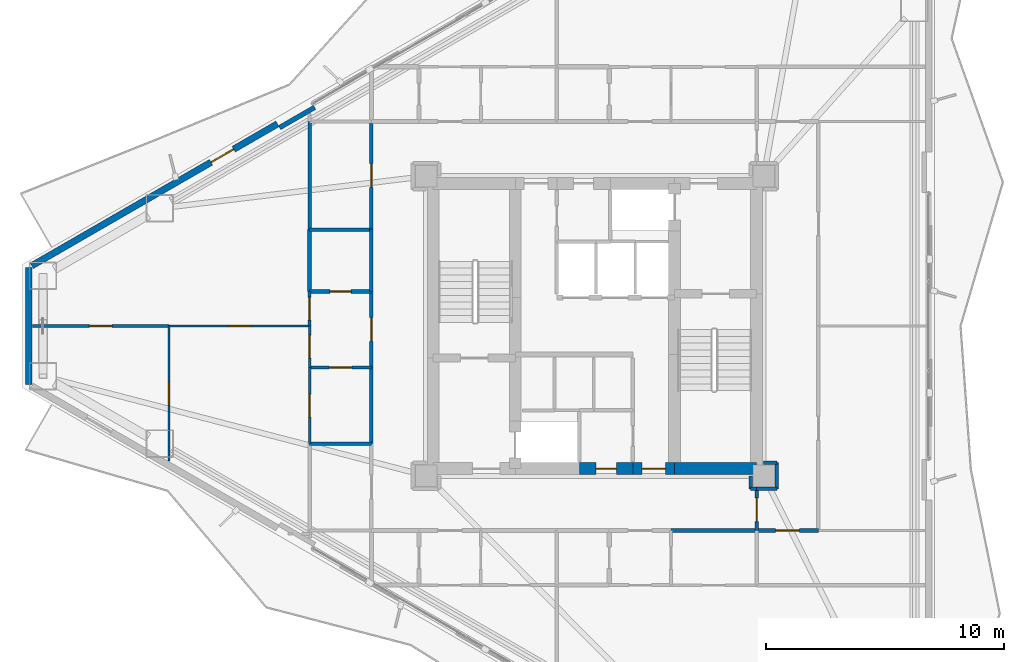
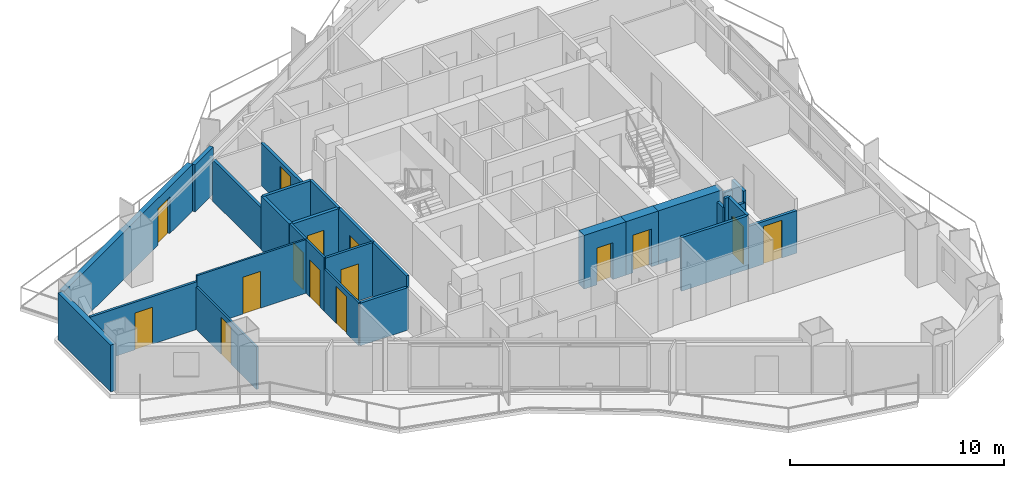
# One storey, part 17 of 23: 30 walls, 15 doors, 15 openings.
"""IFC4 building model written with IfcOpenShell, lengths in metres."""

from ifc_helpers import new_model, si_unit, direction, frame, frame_2d, origin, place, context, subcontext, project, spatial, rectangle, extrude, material, layer, layer_set, type_object, element, fill, save


model = new_model("IFC4")

# Units and contexts
model_context = context("Model", 3, precision=1e-05, world=origin(), true_north=direction((0.0, 1.0)))
body_context = subcontext(model_context, "Body", "Model", "MODEL_VIEW")
ifc_project = project(units=[si_unit("LENGTHUNIT", "METRE"), si_unit("AREAUNIT", "SQUARE_METRE"), si_unit("VOLUMEUNIT", "CUBIC_METRE"), si_unit("PLANEANGLEUNIT", "RADIAN"), si_unit("MASSUNIT", "GRAM", prefix="KILO")], contexts=[model_context])

# Site, building, storey
site_placement = place(None, origin())
site = spatial("IfcSite", under=ifc_project, at=site_placement, CompositionType="ELEMENT")
building_placement = place(site_placement, origin())
building = spatial("IfcBuilding", under=site, at=building_placement, Name="Mersakhor Tower and Convention Hall", CompositionType="ELEMENT")
storey_placement = place(building_placement, frame((0.0, 0.0, 93.300048828125)))
storey = spatial("IfcBuildingStorey", under=building, at=storey_placement, Name="L25", CompositionType="ELEMENT", Elevation=93.300048828125)

# Wall
ifc_material_1 = material(Name="Precast concrete C45/55", Category="concrete")
ifc_layer_1 = layer(ifc_material_1, 0.27490234375)
ifc_layer_set_1 = layer_set([ifc_layer_1], Name="Precast concrete C45/55")
wall_type_1 = type_object("IfcWallType", Name="WL-EXT-275", PredefinedType="SOLIDWALL", material=ifc_layer_set_1)
wall_1_placement = place(storey_placement, frame((5.186767578125, 24.292724609375, 0.0), z_axis=(0.0, 0.0, 1.0), x_axis=(0.0, 1.0, 0.0)))
element("IfcWall", 1, at=wall_1_placement, inside=storey, type_object=wall_type_1, Name="L25 Chamfer Braced Spandrel Wall C3", PredefinedType="SOLIDWALL", context=body_context, shape_type="SweptSolid", body=[
    extrude(rectangle(XDim=4.91455078125, YDim=0.27490234375, at=frame_2d((2.457275390625, 0.0))), origin(), (0.0, 0.0, 1.0), 2.669921875),
])

# Wall, opening, door
wall_2_placement = place(storey_placement, frame((5.316650390625, 29.2822265625, 0.0), z_axis=(0.0, 0.0, 1.0), x_axis=(0.866023023012, 0.500004123596, 0.0)))
wall_2 = element("IfcWall", 2, at=wall_2_placement, inside=storey, type_object=wall_type_1, Name="L25 Exterior Facade Wall F1-B1", PredefinedType="SOLIDWALL", context=body_context, shape_type="SweptSolid", body=[
    extrude(rectangle(XDim=11.9296875, YDim=0.27490234375, at=frame_2d((5.96484375, 0.0))), origin(), (0.0, 0.0, 1.0), 2.669921875),
])
opening_1_placement = place(wall_2_placement, frame((8.7041015625, 0.0, 0.0)))
opening_1 = element("IfcOpeningElement", 3, at=opening_1_placement, cuts=wall_2, Name="Opening BD-02", PredefinedType="OPENING", context=body_context, shape_type="SweptSolid", body=[
    extrude(rectangle(XDim=1.10009765625, YDim=2.10009765625, at=frame_2d((0.550048828125, 1.050048828125))), frame((0.0, 0.1474609375, 0.0), z_axis=(0.0, -1.0, 0.0), x_axis=(1.0, 0.0, 0.0)), (0.0, 0.0, 1.0), 0.294921875),
])
ifc_material_2 = material(Name="Thermally broken dark aluminium and safety glass", Category="aluminium")
door_type_1 = type_object("IfcDoorType", Name="DR-BAL-110x210", OperationType="NOTDEFINED", PredefinedType="DOOR", material=ifc_material_2)
door_1_placement = place(opening_1_placement, origin())
door_1 = element("IfcDoor", 4, at=door_1_placement, inside=storey, type_object=door_type_1, Name="L25 Balcony Terrace Door F1-B1", OperationType="SINGLE_SWING_RIGHT", OverallHeight=2.10009765625, OverallWidth=1.10009765625, PredefinedType="DOOR", context=body_context, shape_type="SweptSolid", body=[
    extrude(rectangle(XDim=1.10009765625, YDim=2.10009765625, at=frame_2d((0.550048828125, 1.050048828125))), frame((0.0, 0.02490234375, 0.0), z_axis=(0.0, -1.0, 0.0), x_axis=(1.0, 0.0, 0.0)), (0.0, 0.0, 1.0), 0.050048828125),
])
fill(opening_1, door_1)

# Wall
ifc_material_3 = material(Name="Precast concrete C40/50", Category="concrete")
ifc_layer_2 = layer(ifc_material_3, 0.199951171875)
ifc_layer_set_2 = layer_set([ifc_layer_2], Name="Precast concrete C40/50")
wall_type_2 = type_object("IfcWallType", Name="WL-PAR-200", PredefinedType="PARAPET", material=ifc_layer_set_2)
wall_3_placement = place(storey_placement, frame((15.73779296875, 35.091064453125, 0.0), z_axis=(0.0, 0.0, 1.0), x_axis=(0.866025371046, 0.500000056704, 0.0)))
element("IfcWall", 5, at=wall_3_placement, inside=storey, type_object=wall_type_2, Name="L25 Column Pier Cladding Wall F1-C1", PredefinedType="PARAPET", context=body_context, shape_type="SweptSolid", body=[
    extrude(rectangle(XDim=1.7001953125, YDim=0.199951171875, at=frame_2d((0.85009765625, 0.0))), origin(), (0.0, 0.0, 1.0), 2.669921875),
])

# Wall, opening, door
ifc_material_4 = material(Name="Moisture-resistant acoustic drywall studwork", Category="other")
ifc_layer_3 = layer(ifc_material_4, 0.175048828125)
ifc_layer_set_3 = layer_set([ifc_layer_3], Name="Moisture-resistant acoustic drywall studwork")
wall_type_3 = type_object("IfcWallType", Name="WL-PLM-175", PredefinedType="PLUMBINGWALL", material=ifc_layer_set_3)
wall_4_placement = place(storey_placement, frame((17.0, 28.199951171875, 0.0), z_axis=(0.0, 0.0, 1.0), x_axis=(1.0, 0.0, 0.0)))
wall_4 = element("IfcWall", 6, at=wall_4_placement, inside=storey, type_object=wall_type_3, Name="L25 Interior Partition Wall P-074", PredefinedType="PLUMBINGWALL", context=body_context, shape_type="SweptSolid", body=[
    extrude(rectangle(XDim=2.60009765625, YDim=0.175048828125, at=frame_2d((1.300048828125, 0.0))), origin(), (0.0, 0.0, 1.0), 3.050048828125),
])
opening_2_placement = place(wall_4_placement, frame((0.85009765625, 0.0, 0.0)))
opening_2 = element("IfcOpeningElement", 7, at=opening_2_placement, cuts=wall_4, Name="Opening WD-01", PredefinedType="OPENING", context=body_context, shape_type="SweptSolid", body=[
    extrude(rectangle(XDim=0.89990234375, YDim=2.10009765625, at=frame_2d((0.449951171875, 1.050048828125))), frame((0.0, 0.097412109375, 0.0), z_axis=(0.0, -1.0, 0.0), x_axis=(1.0, 0.0, 0.0)), (0.0, 0.0, 1.0), 0.195068359375),
])
ifc_material_5 = material(Name="Solid-core hardwood leaf in painted steel frame", Category="steel")
door_type_2 = type_object("IfcDoorType", Name="DR-INT-WET-090x210", OperationType="NOTDEFINED", PredefinedType="DOOR", material=ifc_material_5)
door_2_placement = place(opening_2_placement, origin())
door_2 = element("IfcDoor", 8, at=door_2_placement, inside=storey, type_object=door_type_2, Name="L25 L25 Flat W5 Apartment Hall to L25 Flat W5 Bathroom Door", OperationType="SINGLE_SWING_LEFT", OverallHeight=2.10009765625, OverallWidth=0.89990234375, PredefinedType="DOOR", context=body_context, shape_type="SweptSolid", body=[
    extrude(rectangle(XDim=0.89990234375, YDim=2.10009765625, at=frame_2d((0.449951171875, 1.050048828125))), frame((0.0, 0.02490234375, 0.0), z_axis=(0.0, -1.0, 0.0), x_axis=(1.0, 0.0, 0.0)), (0.0, 0.0, 1.0), 0.050048828125),
])
fill(opening_2, door_2)

# Wall
wall_5_placement = place(storey_placement, frame((17.0, 28.199951171875, 0.0), z_axis=(0.0, 0.0, 1.0), x_axis=(0.0, 1.0, 0.0)))
element("IfcWall", 9, at=wall_5_placement, inside=storey, type_object=wall_type_3, Name="L25 Interior Partition Wall P-090", PredefinedType="PLUMBINGWALL", context=body_context, shape_type="SweptSolid", body=[
    extrude(rectangle(XDim=2.60009765625, YDim=0.175048828125, at=frame_2d((1.300048828125, 0.0))), origin(), (0.0, 0.0, 1.0), 3.050048828125),
])

# Wall, opening, door
ifc_material_6 = material(Name="Lightweight gypsum partition", Category="other")
ifc_layer_4 = layer(ifc_material_6, 0.10009765625)
ifc_layer_set_4 = layer_set([ifc_layer_4], Name="Lightweight gypsum partition")
wall_type_4 = type_object("IfcWallType", Name="WL-PRT-100", PredefinedType="PARTITIONING", material=ifc_layer_set_4)
wall_6_placement = place(storey_placement, frame((17.0, 25.0, 0.0), z_axis=(0.0, 0.0, 1.0), x_axis=(0.0, 1.0, 0.0)))
wall_6 = element("IfcWall", 10, at=wall_6_placement, inside=storey, type_object=wall_type_4, Name="L25 Interior Partition Wall P-072", PredefinedType="PARTITIONING", context=body_context, shape_type="SweptSolid", body=[
    extrude(rectangle(XDim=1.75, YDim=0.10009765625, at=frame_2d((0.875, 0.0))), origin(), (0.0, 0.0, 1.0), 3.050048828125),
])
opening_3_placement = place(wall_6_placement, frame((0.39990234375, 0.0, 0.0)))
opening_3 = element("IfcOpeningElement", 11, at=opening_3_placement, cuts=wall_6, Name="Opening RD-01", PredefinedType="OPENING", context=body_context, shape_type="SweptSolid", body=[
    extrude(rectangle(XDim=0.949951171875, YDim=2.10009765625, at=frame_2d((0.47509765625, 1.050048828125))), frame((0.0, 0.06005859375, 0.0), z_axis=(0.0, -1.0, 0.0), x_axis=(1.0, 0.0, 0.0)), (0.0, 0.0, 1.0), 0.1201171875),
])
ifc_material_7 = material(Name="Solid-core hardwood leaf in painted steel frame", Category="steel")
door_type_3 = type_object("IfcDoorType", Name="DR-INT-RM-095x210", OperationType="NOTDEFINED", PredefinedType="DOOR", material=ifc_material_7)
door_3_placement = place(opening_3_placement, origin())
door_3 = element("IfcDoor", 12, at=door_3_placement, inside=storey, type_object=door_type_3, Name="L25 L25 Flat W5 Apartment Hall to L25 Flat W5 Dining Room Door", OperationType="SINGLE_SWING_RIGHT", OverallHeight=2.10009765625, OverallWidth=0.949951171875, PredefinedType="DOOR", context=body_context, shape_type="SweptSolid", body=[
    extrude(rectangle(XDim=0.949951171875, YDim=2.10009765625, at=frame_2d((0.47509765625, 1.050048828125))), frame((0.0, 0.02490234375, 0.0), z_axis=(0.0, -1.0, 0.0), x_axis=(1.0, 0.0, 0.0)), (0.0, 0.0, 1.0), 0.050048828125),
])
fill(opening_3, door_3)

wall_7_placement = place(storey_placement, frame((17.0, 21.800048828125, 0.0), z_axis=(0.0, 0.0, 1.0), x_axis=(0.0, 1.0, 0.0)))
wall_7 = element("IfcWall", 13, at=wall_7_placement, inside=storey, type_object=wall_type_4, Name="L25 Interior Partition Wall P-092", PredefinedType="PARTITIONING", context=body_context, shape_type="SweptSolid", body=[
    extrude(rectangle(XDim=3.199951171875, YDim=0.10009765625, at=frame_2d((1.60009765625, 0.0))), origin(), (0.0, 0.0, 1.0), 2.4228515625),
])
opening_4_placement = place(wall_7_placement, frame((1.125, 0.0, 0.0)))
opening_4 = element("IfcOpeningElement", 14, at=opening_4_placement, cuts=wall_7, Name="Opening RD-01", PredefinedType="OPENING", context=body_context, shape_type="SweptSolid", body=[
    extrude(rectangle(XDim=0.949951171875, YDim=2.10009765625, at=frame_2d((0.47509765625, 1.050048828125))), frame((0.0, 0.06005859375, 0.0), z_axis=(0.0, -1.0, 0.0), x_axis=(1.0, 0.0, 0.0)), (0.0, 0.0, 1.0), 0.1201171875),
])
door_4_placement = place(opening_4_placement, origin())
door_4 = element("IfcDoor", 15, at=door_4_placement, inside=storey, type_object=door_type_3, Name="L25 L25 Flat W5 Kitchen to L25 Flat W5 Dining Room Door", OperationType="SINGLE_SWING_LEFT", OverallHeight=2.10009765625, OverallWidth=0.949951171875, PredefinedType="DOOR", context=body_context, shape_type="SweptSolid", body=[
    extrude(rectangle(XDim=0.949951171875, YDim=2.10009765625, at=frame_2d((0.47509765625, 1.050048828125))), frame((0.0, 0.02490234375, 0.0), z_axis=(0.0, -1.0, 0.0), x_axis=(1.0, 0.0, 0.0)), (0.0, 0.0, 1.0), 0.050048828125),
])
fill(opening_4, door_4)

wall_8_placement = place(storey_placement, frame((17.0, 26.75, 0.0), z_axis=(0.0, 0.0, 1.0), x_axis=(-1.0, 0.0, 0.0)))
wall_8 = element("IfcWall", 16, at=wall_8_placement, inside=storey, type_object=wall_type_4, Name="L25 Interior Partition Wall P-108", PredefinedType="PARTITIONING", context=body_context, shape_type="SweptSolid", body=[
    extrude(rectangle(XDim=5.909912109375, YDim=0.10009765625, at=frame_2d((2.955078125, 0.0))), origin(), (0.0, 0.0, 1.0), 3.050048828125),
])
opening_5_placement = place(wall_8_placement, frame((2.47998046875, 0.0, 0.0)))
opening_5 = element("IfcOpeningElement", 17, at=opening_5_placement, cuts=wall_8, Name="Opening RD-01", PredefinedType="OPENING", context=body_context, shape_type="SweptSolid", body=[
    extrude(rectangle(XDim=0.949951171875, YDim=2.10009765625, at=frame_2d((0.47509765625, 1.050048828125))), frame((0.0, 0.06005859375, 0.0), z_axis=(0.0, -1.0, 0.0), x_axis=(1.0, 0.0, 0.0)), (0.0, 0.0, 1.0), 0.1201171875),
])
door_5_placement = place(opening_5_placement, origin())
door_5 = element("IfcDoor", 18, at=door_5_placement, inside=storey, type_object=door_type_3, Name="L25 L25 Flat W5 Living and Dining Room to L25 Flat W5 Dining Room Door", OperationType="SINGLE_SWING_LEFT", OverallHeight=2.10009765625, OverallWidth=0.949951171875, PredefinedType="DOOR", context=body_context, shape_type="SweptSolid", body=[
    extrude(rectangle(XDim=0.949951171875, YDim=2.10009765625, at=frame_2d((0.47509765625, 1.050048828125))), frame((0.0, 0.02490234375, 0.0), z_axis=(0.0, -1.0, 0.0), x_axis=(1.0, 0.0, 0.0)), (0.0, 0.0, 1.0), 0.050048828125),
])
fill(opening_5, door_5)

wall_9_placement = place(storey_placement, frame((11.090087890625, 26.75, 0.0), z_axis=(0.0, 0.0, 1.0), x_axis=(0.0, -1.0, 0.0)))
wall_9 = element("IfcWall", 19, at=wall_9_placement, inside=storey, type_object=wall_type_4, Name="L25 Interior Partition Wall P-110", PredefinedType="PARTITIONING", context=body_context, shape_type="SweptSolid", body=[
    extrude(rectangle(XDim=5.678955078125, YDim=0.10009765625, at=frame_2d((2.83935546875, 0.0))), origin(), (0.0, 0.0, 1.0), 2.4228515625),
])
opening_6_placement = place(wall_9_placement, frame((2.364501953125, 0.0, 0.0)))
opening_6 = element("IfcOpeningElement", 20, at=opening_6_placement, cuts=wall_9, Name="Opening RD-01", PredefinedType="OPENING", context=body_context, shape_type="SweptSolid", body=[
    extrude(rectangle(XDim=0.949951171875, YDim=2.10009765625, at=frame_2d((0.47509765625, 1.050048828125))), frame((0.0, 0.06005859375, 0.0), z_axis=(0.0, -1.0, 0.0), x_axis=(1.0, 0.0, 0.0)), (0.0, 0.0, 1.0), 0.1201171875),
])
door_6_placement = place(opening_6_placement, origin())
door_6 = element("IfcDoor", 21, at=door_6_placement, inside=storey, type_object=door_type_3, Name="L25 L25 Flat W5 Bedroom 1 to L25 Flat W5 Dining Room Door", OperationType="SINGLE_SWING_RIGHT", OverallHeight=2.10009765625, OverallWidth=0.949951171875, PredefinedType="DOOR", context=body_context, shape_type="SweptSolid", body=[
    extrude(rectangle(XDim=0.949951171875, YDim=2.10009765625, at=frame_2d((0.47509765625, 1.050048828125))), frame((0.0, 0.02490234375, 0.0), z_axis=(0.0, -1.0, 0.0), x_axis=(1.0, 0.0, 0.0)), (0.0, 0.0, 1.0), 0.050048828125),
])
fill(opening_6, door_6)

ifc_material_8 = material(Name="Gypsum board acoustic partition", Category="other")
ifc_layer_5 = layer(ifc_material_8, 0.125)
ifc_layer_set_5 = layer_set([ifc_layer_5], Name="Gypsum board acoustic partition")
wall_type_5 = type_object("IfcWallType", Name="WL-PRT-125", PredefinedType="PARTITIONING", material=ifc_layer_set_5)
wall_10_placement = place(storey_placement, frame((17.0, 26.75, 0.0), z_axis=(0.0, 0.0, 1.0), x_axis=(0.0, 1.0, 0.0)))
wall_10 = element("IfcWall", 22, at=wall_10_placement, inside=storey, type_object=wall_type_5, Name="L25 Interior Partition Wall P-073", PredefinedType="PARTITIONING", context=body_context, shape_type="SweptSolid", body=[
    extrude(rectangle(XDim=1.449951171875, YDim=0.125, at=frame_2d((0.72509765625, 0.0))), origin(), (0.0, 0.0, 1.0), 3.050048828125),
])
opening_7_placement = place(wall_10_placement, frame((0.25, 0.0, 0.0)))
opening_7 = element("IfcOpeningElement", 23, at=opening_7_placement, cuts=wall_10, Name="Opening RD-01", PredefinedType="OPENING", context=body_context, shape_type="SweptSolid", body=[
    extrude(rectangle(XDim=0.949951171875, YDim=2.10009765625, at=frame_2d((0.47509765625, 1.050048828125))), frame((0.0, 0.072509765625, 0.0), z_axis=(0.0, -1.0, 0.0), x_axis=(1.0, 0.0, 0.0)), (0.0, 0.0, 1.0), 0.14501953125),
])
door_7_placement = place(opening_7_placement, origin())
door_7 = element("IfcDoor", 24, at=door_7_placement, inside=storey, type_object=door_type_3, Name="L25 L25 Flat W5 Apartment Hall to L25 Flat W5 Living and Dining Room Door", OperationType="SINGLE_SWING_LEFT", OverallHeight=2.10009765625, OverallWidth=0.949951171875, PredefinedType="DOOR", context=body_context, shape_type="SweptSolid", body=[
    extrude(rectangle(XDim=0.949951171875, YDim=2.10009765625, at=frame_2d((0.47509765625, 1.050048828125))), frame((0.0, 0.02490234375, 0.0), z_axis=(0.0, -1.0, 0.0), x_axis=(1.0, 0.0, 0.0)), (0.0, 0.0, 1.0), 0.050048828125),
])
fill(opening_7, door_7)

wall_11_placement = place(storey_placement, frame((19.60009765625, 25.0, 0.0), z_axis=(0.0, 0.0, 1.0), x_axis=(-1.0, 0.0, 0.0)))
wall_11 = element("IfcWall", 25, at=wall_11_placement, inside=storey, type_object=wall_type_5, Name="L25 Interior Partition Wall P-075", PredefinedType="PARTITIONING", context=body_context, shape_type="SweptSolid", body=[
    extrude(rectangle(XDim=2.60009765625, YDim=0.125, at=frame_2d((1.300048828125, 0.0))), origin(), (0.0, 0.0, 1.0), 3.050048828125),
])
opening_8_placement = place(wall_11_placement, frame((0.824951171875, 0.0, 0.0)))
opening_8 = element("IfcOpeningElement", 26, at=opening_8_placement, cuts=wall_11, Name="Opening RD-01", PredefinedType="OPENING", context=body_context, shape_type="SweptSolid", body=[
    extrude(rectangle(XDim=0.949951171875, YDim=2.10009765625, at=frame_2d((0.47509765625, 1.050048828125))), frame((0.0, 0.072509765625, 0.0), z_axis=(0.0, -1.0, 0.0), x_axis=(1.0, 0.0, 0.0)), (0.0, 0.0, 1.0), 0.14501953125),
])
door_8_placement = place(opening_8_placement, origin())
door_8 = element("IfcDoor", 27, at=door_8_placement, inside=storey, type_object=door_type_3, Name="L25 L25 Flat W5 Apartment Hall to L25 Flat W5 Kitchen Door", OperationType="SINGLE_SWING_RIGHT", OverallHeight=2.10009765625, OverallWidth=0.949951171875, PredefinedType="DOOR", context=body_context, shape_type="SweptSolid", body=[
    extrude(rectangle(XDim=0.949951171875, YDim=2.10009765625, at=frame_2d((0.47509765625, 1.050048828125))), frame((0.0, 0.02490234375, 0.0), z_axis=(0.0, -1.0, 0.0), x_axis=(1.0, 0.0, 0.0)), (0.0, 0.0, 1.0), 0.050048828125),
])
fill(opening_8, door_8)

wall_12_placement = place(storey_placement, frame((11.090087890625, 26.75, 0.0), z_axis=(0.0, 0.0, 1.0), x_axis=(-1.0, 0.0, 0.0)))
wall_12 = element("IfcWall", 28, at=wall_12_placement, inside=storey, type_object=wall_type_5, Name="L25 Interior Partition Wall P-109", PredefinedType="PARTITIONING", context=body_context, shape_type="SweptSolid", body=[
    extrude(rectangle(XDim=5.741943359375, YDim=0.125, at=frame_2d((2.87109375, 0.0))), origin(), (0.0, 0.0, 1.0), 2.71435546875),
])
opening_9_placement = place(wall_12_placement, frame((2.39599609375, 0.0, 0.0)))
opening_9 = element("IfcOpeningElement", 29, at=opening_9_placement, cuts=wall_12, Name="Opening RD-01", PredefinedType="OPENING", context=body_context, shape_type="SweptSolid", body=[
    extrude(rectangle(XDim=0.949951171875, YDim=2.10009765625, at=frame_2d((0.47509765625, 1.050048828125))), frame((0.0, 0.072509765625, 0.0), z_axis=(0.0, -1.0, 0.0), x_axis=(1.0, 0.0, 0.0)), (0.0, 0.0, 1.0), 0.14501953125),
])
door_9_placement = place(opening_9_placement, origin())
door_9 = element("IfcDoor", 30, at=door_9_placement, inside=storey, type_object=door_type_3, Name="L25 L25 Flat W5 Living and Dining Room to L25 Flat W5 Bedroom 1 Door", OperationType="SINGLE_SWING_RIGHT", OverallHeight=2.10009765625, OverallWidth=0.949951171875, PredefinedType="DOOR", context=body_context, shape_type="SweptSolid", body=[
    extrude(rectangle(XDim=0.949951171875, YDim=2.10009765625, at=frame_2d((0.47509765625, 1.050048828125))), frame((0.0, 0.02490234375, 0.0), z_axis=(0.0, -1.0, 0.0), x_axis=(1.0, 0.0, 0.0)), (0.0, 0.0, 1.0), 0.050048828125),
])
fill(opening_9, door_9)

# Walls
ifc_material_9 = material(Name="Fire-rated gypsum board stud partition", Category="other")
ifc_layer_6 = layer(ifc_material_9, 0.14990234375)
ifc_layer_set_6 = layer_set([ifc_layer_6], Name="Fire-rated gypsum board stud partition")
wall_type_6 = type_object("IfcWallType", Name="WL-PRT-150", PredefinedType="PARTITIONING", material=ifc_layer_set_6)
wall_13_placement = place(storey_placement, frame((35.550048828125, 20.449951171875, 0.0), z_axis=(0.0, 0.0, 1.0), x_axis=(0.0, -1.0, 0.0)))
element("IfcWall", 31, at=wall_13_placement, inside=storey, type_object=wall_type_6, Name="L25 Interior Partition Wall P-021", PredefinedType="PARTITIONING", context=body_context, shape_type="SweptSolid", body=[
    extrude(rectangle(XDim=0.550048828125, YDim=0.14990234375, at=frame_2d((0.27490234375, 0.0))), origin(), (0.0, 0.0, 1.0), 2.498291015625),
])
wall_14_placement = place(storey_placement, frame((35.550048828125, 19.89990234375, 0.0), z_axis=(0.0, 0.0, 1.0), x_axis=(1.0, 0.0, 0.0)))
element("IfcWall", 32, at=wall_14_placement, inside=storey, type_object=wall_type_6, Name="L25 Interior Partition Wall P-022", PredefinedType="PARTITIONING", context=body_context, shape_type="SweptSolid", body=[
    extrude(rectangle(XDim=0.25, YDim=0.14990234375, at=frame_2d((0.125, 0.0))), origin(), (0.0, 0.0, 1.0), 3.050048828125),
])

# Wall, opening, door
wall_15_placement = place(storey_placement, frame((35.800048828125, 19.89990234375, 0.0), z_axis=(0.0, 0.0, 1.0), x_axis=(0.0, -1.0, 0.0)))
wall_15 = element("IfcWall", 33, at=wall_15_placement, inside=storey, type_object=wall_type_6, Name="L25 Interior Partition Wall P-023", PredefinedType="PARTITIONING", context=body_context, shape_type="SweptSolid", body=[
    extrude(rectangle(XDim=1.75, YDim=0.14990234375, at=frame_2d((0.875, 0.0))), origin(), (0.0, 0.0, 1.0), 3.050048828125),
])
opening_10_placement = place(wall_15_placement, frame((0.375, 0.0, 0.0)))
opening_10 = element("IfcOpeningElement", 34, at=opening_10_placement, cuts=wall_15, Name="Opening FD-01", PredefinedType="OPENING", context=body_context, shape_type="SweptSolid", body=[
    extrude(rectangle(XDim=1.0, YDim=2.14990234375, at=frame_2d((0.5, 1.074951171875))), frame((0.0, 0.0849609375, 0.0), z_axis=(0.0, -1.0, 0.0), x_axis=(1.0, 0.0, 0.0)), (0.0, 0.0, 1.0), 0.169921875),
])
ifc_material_10 = material(Name="Fire-rated hardwood leaf and painted steel frame", Category="steel")
door_type_4 = type_object("IfcDoorType", Name="DR-INT-FLT-100x215", OperationType="NOTDEFINED", PredefinedType="DOOR", material=ifc_material_10)
door_10_placement = place(opening_10_placement, origin())
door_10 = element("IfcDoor", 35, at=door_10_placement, inside=storey, type_object=door_type_4, Name="L25 Ring Corridor Fire Door", OperationType="SINGLE_SWING_RIGHT", OverallHeight=2.14990234375, OverallWidth=1.0, PredefinedType="DOOR", context=body_context, shape_type="SweptSolid", body=[
    extrude(rectangle(XDim=1.0, YDim=2.14990234375, at=frame_2d((0.5, 1.074951171875))), frame((0.0, 0.02490234375, 0.0), z_axis=(0.0, -1.0, 0.0), x_axis=(1.0, 0.0, 0.0)), (0.0, 0.0, 1.0), 0.050048828125),
])
fill(opening_10, door_10)

# Walls
wall_16_placement = place(storey_placement, frame((35.800048828125, 18.14990234375, 0.0), z_axis=(0.0, 0.0, 1.0), x_axis=(-1.0, 0.0, 0.0)))
element("IfcWall", 36, at=wall_16_placement, inside=storey, type_object=wall_type_6, Name="L25 Interior Partition Wall P-024", PredefinedType="PARTITIONING", context=body_context, shape_type="SweptSolid", body=[
    extrude(rectangle(XDim=3.60009765625, YDim=0.14990234375, at=frame_2d((1.800048828125, 0.0))), origin(), (0.0, 0.0, 1.0), 3.050048828125),
])
wall_17_placement = place(storey_placement, frame((19.60009765625, 21.800048828125, 0.0), z_axis=(0.0, 0.0, 1.0), x_axis=(0.0, 1.0, 0.0)))
element("IfcWall", 37, at=wall_17_placement, inside=storey, type_object=wall_type_6, Name="L25 Interior Partition Wall P-031", PredefinedType="PARTITIONING", context=body_context, shape_type="SweptSolid", body=[
    extrude(rectangle(XDim=3.199951171875, YDim=0.14990234375, at=frame_2d((1.60009765625, 0.0))), origin(), (0.0, 0.0, 1.0), 3.050048828125),
])

# Wall, opening, door
wall_18_placement = place(storey_placement, frame((19.60009765625, 25.0, 0.0), z_axis=(0.0, 0.0, 1.0), x_axis=(0.0, 1.0, 0.0)))
wall_18 = element("IfcWall", 38, at=wall_18_placement, inside=storey, type_object=wall_type_6, Name="L25 Interior Partition Wall P-032", PredefinedType="PARTITIONING", context=body_context, shape_type="SweptSolid", body=[
    extrude(rectangle(XDim=3.199951171875, YDim=0.14990234375, at=frame_2d((1.60009765625, 0.0))), origin(), (0.0, 0.0, 1.0), 3.050048828125),
])
opening_11_placement = place(wall_18_placement, frame((1.10009765625, 0.0, 0.0)))
opening_11 = element("IfcOpeningElement", 39, at=opening_11_placement, cuts=wall_18, Name="Opening FD-01", PredefinedType="OPENING", context=body_context, shape_type="SweptSolid", body=[
    extrude(rectangle(XDim=1.0, YDim=2.14990234375, at=frame_2d((0.5, 1.074951171875))), frame((0.0, 0.0849609375, 0.0), z_axis=(0.0, -1.0, 0.0), x_axis=(1.0, 0.0, 0.0)), (0.0, 0.0, 1.0), 0.169921875),
])
door_11_placement = place(opening_11_placement, origin())
door_11 = element("IfcDoor", 40, at=door_11_placement, inside=storey, type_object=door_type_4, Name="L25 Apartment Entrance Door (Residential Ring Corridor to L25 Flat W5 Apartment Hall)", OperationType="SINGLE_SWING_RIGHT", OverallHeight=2.14990234375, OverallWidth=1.0, PredefinedType="DOOR", context=body_context, shape_type="SweptSolid", body=[
    extrude(rectangle(XDim=1.0, YDim=2.14990234375, at=frame_2d((0.5, 1.074951171875))), frame((0.0, 0.02490234375, 0.0), z_axis=(0.0, -1.0, 0.0), x_axis=(1.0, 0.0, 0.0)), (0.0, 0.0, 1.0), 0.050048828125),
])
fill(opening_11, door_11)

# Wall
wall_19_placement = place(storey_placement, frame((19.60009765625, 28.199951171875, 0.0), z_axis=(0.0, 0.0, 1.0), x_axis=(0.0, 1.0, 0.0)))
element("IfcWall", 41, at=wall_19_placement, inside=storey, type_object=wall_type_6, Name="L25 Interior Partition Wall P-033", PredefinedType="PARTITIONING", context=body_context, shape_type="SweptSolid", body=[
    extrude(rectangle(XDim=2.60009765625, YDim=0.14990234375, at=frame_2d((1.300048828125, 0.0))), origin(), (0.0, 0.0, 1.0), 3.050048828125),
])

# Wall, opening, door
wall_20_placement = place(storey_placement, frame((19.60009765625, 30.800048828125, 0.0), z_axis=(0.0, 0.0, 1.0), x_axis=(0.0, 1.0, 0.0)))
wall_20 = element("IfcWall", 42, at=wall_20_placement, inside=storey, type_object=wall_type_6, Name="L25 Interior Partition Wall P-034", PredefinedType="PARTITIONING", context=body_context, shape_type="SweptSolid", body=[
    extrude(rectangle(XDim=4.550048828125, YDim=0.14990234375, at=frame_2d((2.27490234375, 0.0))), origin(), (0.0, 0.0, 1.0), 2.4228515625),
])
opening_12_placement = place(wall_20_placement, frame((1.77490234375, 0.0, 0.0)))
opening_12 = element("IfcOpeningElement", 43, at=opening_12_placement, cuts=wall_20, Name="Opening FD-01", PredefinedType="OPENING", context=body_context, shape_type="SweptSolid", body=[
    extrude(rectangle(XDim=1.0, YDim=2.14990234375, at=frame_2d((0.5, 1.074951171875))), frame((0.0, 0.0849609375, 0.0), z_axis=(0.0, -1.0, 0.0), x_axis=(1.0, 0.0, 0.0)), (0.0, 0.0, 1.0), 0.169921875),
])
door_12_placement = place(opening_12_placement, origin())
door_12 = element("IfcDoor", 44, at=door_12_placement, inside=storey, type_object=door_type_4, Name="L25 Residential Ring Corridor to L25 West Wing Shared Study Room Door", OperationType="SINGLE_SWING_LEFT", OverallHeight=2.14990234375, OverallWidth=1.0, PredefinedType="DOOR", context=body_context, shape_type="SweptSolid", body=[
    extrude(rectangle(XDim=1.0, YDim=2.14990234375, at=frame_2d((0.5, 1.074951171875))), frame((0.0, 0.02490234375, 0.0), z_axis=(0.0, -1.0, 0.0), x_axis=(1.0, 0.0, 0.0)), (0.0, 0.0, 1.0), 0.050048828125),
])
fill(opening_12, door_12)

# Wall
wall_21_placement = place(storey_placement, frame((36.64990234375, 21.0, 0.0), z_axis=(0.0, 0.0, 1.0), x_axis=(-1.0, 0.0, 0.0)))
element("IfcWall", 45, at=wall_21_placement, inside=storey, type_object=wall_type_6, Name="L25 Interior Partition Wall P-050", PredefinedType="PARTITIONING", context=body_context, shape_type="SweptSolid", body=[
    extrude(rectangle(XDim=0.5498046875, YDim=0.14990234375, at=frame_2d((0.27490234375, 0.0))), origin(), (0.0, 0.0, 1.0), 2.498291015625),
])

# Wall, opening, door
wall_22_placement = place(storey_placement, frame((38.39990234375, 18.14990234375, 0.0), z_axis=(0.0, 0.0, 1.0), x_axis=(-1.0, 0.0, 0.0)))
wall_22 = element("IfcWall", 46, at=wall_22_placement, inside=storey, type_object=wall_type_6, Name="L25 Interior Partition Wall P-057", PredefinedType="PARTITIONING", context=body_context, shape_type="SweptSolid", body=[
    extrude(rectangle(XDim=2.599853515625, YDim=0.14990234375, at=frame_2d((1.2998046875, 0.0))), origin(), (0.0, 0.0, 1.0), 2.4228515625),
])
opening_13_placement = place(wall_22_placement, frame((0.800048828125, 0.0, 0.0)))
opening_13 = element("IfcOpeningElement", 47, at=opening_13_placement, cuts=wall_22, Name="Opening FD-01", PredefinedType="OPENING", context=body_context, shape_type="SweptSolid", body=[
    extrude(rectangle(XDim=1.0, YDim=2.14990234375, at=frame_2d((0.5, 1.074951171875))), frame((0.0, 0.0849609375, 0.0), z_axis=(0.0, -1.0, 0.0), x_axis=(1.0, 0.0, 0.0)), (0.0, 0.0, 1.0), 0.169921875),
])
door_13_placement = place(opening_13_placement, origin())
door_13 = element("IfcDoor", 48, at=door_13_placement, inside=storey, type_object=door_type_4, Name="L25 Residential Ring East Corridor to L25 South-East Quiet Focus Room Door", OperationType="SINGLE_SWING_RIGHT", OverallHeight=2.14990234375, OverallWidth=1.0, PredefinedType="DOOR", context=body_context, shape_type="SweptSolid", body=[
    extrude(rectangle(XDim=1.0, YDim=2.14990234375, at=frame_2d((0.5, 1.074951171875))), frame((0.0, 0.02490234375, 0.0), z_axis=(0.0, -1.0, 0.0), x_axis=(1.0, 0.0, 0.0)), (0.0, 0.0, 1.0), 0.050048828125),
])
fill(opening_13, door_13)

# Walls
wall_23_placement = place(storey_placement, frame((35.800048828125, 19.89990234375, 0.0), z_axis=(0.0, 0.0, 1.0), x_axis=(1.0, 0.0, 0.0)))
element("IfcWall", 49, at=wall_23_placement, inside=storey, type_object=wall_type_6, Name="L25 Interior Partition Wall P-058", PredefinedType="PARTITIONING", context=body_context, shape_type="SweptSolid", body=[
    extrude(rectangle(XDim=0.849853515625, YDim=0.14990234375, at=frame_2d((0.4248046875, 0.0))), origin(), (0.0, 0.0, 1.0), 2.4228515625),
])
wall_24_placement = place(storey_placement, frame((36.64990234375, 19.89990234375, 0.0), z_axis=(0.0, 0.0, 1.0), x_axis=(0.0, 1.0, 0.0)))
element("IfcWall", 50, at=wall_24_placement, inside=storey, type_object=wall_type_6, Name="L25 Interior Partition Wall P-059", PredefinedType="PARTITIONING", context=body_context, shape_type="SweptSolid", body=[
    extrude(rectangle(XDim=1.10009765625, YDim=0.14990234375, at=frame_2d((0.550048828125, 0.0))), origin(), (0.0, 0.0, 1.0), 3.050048828125),
])
wall_25_placement = place(storey_placement, frame((17.0, 30.800048828125, 0.0), z_axis=(0.0, 0.0, 1.0), x_axis=(1.0, 0.0, 0.0)))
element("IfcWall", 51, at=wall_25_placement, inside=storey, type_object=wall_type_6, Name="L25 Interior Partition Wall P-091", PredefinedType="PARTITIONING", context=body_context, shape_type="SweptSolid", body=[
    extrude(rectangle(XDim=2.60009765625, YDim=0.14990234375, at=frame_2d((1.300048828125, 0.0))), origin(), (0.0, 0.0, 1.0), 3.050048828125),
])
wall_26_placement = place(storey_placement, frame((19.60009765625, 21.800048828125, 0.0), z_axis=(0.0, 0.0, 1.0), x_axis=(-1.0, 0.0, 0.0)))
element("IfcWall", 52, at=wall_26_placement, inside=storey, type_object=wall_type_6, Name="L25 Interior Partition Wall P-093", PredefinedType="PARTITIONING", context=body_context, shape_type="SweptSolid", body=[
    extrude(rectangle(XDim=2.60009765625, YDim=0.14990234375, at=frame_2d((1.300048828125, 0.0))), origin(), (0.0, 0.0, 1.0), 2.4228515625),
])
wall_27_placement = place(storey_placement, frame((17.0, 30.800048828125, 0.0), z_axis=(0.0, 0.0, 1.0), x_axis=(0.0, 1.0, 0.0)))
element("IfcWall", 53, at=wall_27_placement, inside=storey, type_object=wall_type_6, Name="L25 Interior Partition Wall P-098", PredefinedType="PARTITIONING", context=body_context, shape_type="SweptSolid", body=[
    extrude(rectangle(XDim=4.550048828125, YDim=0.14990234375, at=frame_2d((2.27490234375, 0.0))), origin(), (0.0, 0.0, 1.0), 2.364990234375),
])
ifc_material_11 = material(Name="Concrete C70/85", Category="concrete")
ifc_layer_7 = layer(ifc_material_11, 0.5)
ifc_layer_set_7 = layer_set([ifc_layer_7], Name="Concrete C70/85")
wall_type_7 = type_object("IfcWallType", Name="WL-SHR-500", PredefinedType="SHEAR", material=ifc_layer_set_7)
wall_28_placement = place(storey_placement, frame((35.800048828125, 20.75, 0.0), z_axis=(0.0, 0.0, 1.0), x_axis=(-1.0, 0.0, 0.0)))
element("IfcWall", 54, at=wall_28_placement, inside=storey, type_object=wall_type_7, Name="L25 Core Wall CW-S1", PredefinedType="SHEAR", context=body_context, shape_type="SweptSolid", body=[
    extrude(rectangle(XDim=3.449951171875, YDim=0.5, at=frame_2d((1.72509765625, 0.0))), origin(), (0.0, 0.0, 1.0), 3.050048828125),
])

# Wall, opening, door
wall_29_placement = place(storey_placement, frame((32.35009765625, 20.75, 0.0), z_axis=(0.0, 0.0, 1.0), x_axis=(-1.0, 0.0, 0.0)))
wall_29 = element("IfcWall", 55, at=wall_29_placement, inside=storey, type_object=wall_type_7, Name="L25 Core Wall CW-S2A", PredefinedType="SHEAR", context=body_context, shape_type="SweptSolid", body=[
    extrude(rectangle(XDim=1.75, YDim=0.5, at=frame_2d((0.875, 0.0))), origin(), (0.0, 0.0, 1.0), 3.050048828125),
])
opening_14_placement = place(wall_29_placement, frame((0.375, 0.0, 0.0)))
opening_14 = element("IfcOpeningElement", 56, at=opening_14_placement, cuts=wall_29, Name="Opening CFD-01", PredefinedType="OPENING", context=body_context, shape_type="SweptSolid", body=[
    extrude(rectangle(XDim=1.0, YDim=2.14990234375, at=frame_2d((0.5, 1.074951171875))), frame((0.0, 0.260009765625, 0.0), z_axis=(0.0, -1.0, 0.0), x_axis=(1.0, 0.0, 0.0)), (0.0, 0.0, 1.0), 0.52001953125),
])
ifc_material_12 = material(Name="Fire-rated hardwood leaf and painted steel frame", Category="steel")
door_type_5 = type_object("IfcDoorType", Name="DR-CORE-FD-100x215", OperationType="NOTDEFINED", PredefinedType="DOOR", material=ifc_material_12)
door_14_placement = place(opening_14_placement, origin())
door_14 = element("IfcDoor", 57, at=door_14_placement, inside=storey, type_object=door_type_5, Name="L25 Lift Lobby South Corridor Door", OperationType="SINGLE_SWING_RIGHT", OverallHeight=2.14990234375, OverallWidth=1.0, PredefinedType="DOOR", context=body_context, shape_type="SweptSolid", body=[
    extrude(rectangle(XDim=1.0, YDim=2.14990234375, at=frame_2d((0.5, 1.074951171875))), frame((0.0, 0.02490234375, 0.0), z_axis=(0.0, -1.0, 0.0), x_axis=(1.0, 0.0, 0.0)), (0.0, 0.0, 1.0), 0.050048828125),
])
fill(opening_14, door_14)

wall_30_placement = place(storey_placement, frame((30.60009765625, 20.75, 0.0), z_axis=(0.0, 0.0, 1.0), x_axis=(-1.0, 0.0, 0.0)))
wall_30 = element("IfcWall", 58, at=wall_30_placement, inside=storey, type_object=wall_type_7, Name="L25 Core Wall CW-S2B", PredefinedType="SHEAR", context=body_context, shape_type="SweptSolid", body=[
    extrude(rectangle(XDim=2.25, YDim=0.5, at=frame_2d((1.125, 0.0))), origin(), (0.0, 0.0, 1.0), 3.050048828125),
])
opening_15_placement = place(wall_30_placement, frame((0.699951171875, 0.0, 0.0)))
opening_15 = element("IfcOpeningElement", 59, at=opening_15_placement, cuts=wall_30, Name="Opening SVD-01", PredefinedType="OPENING", context=body_context, shape_type="SweptSolid", body=[
    extrude(rectangle(XDim=0.85009765625, YDim=2.10009765625, at=frame_2d((0.425048828125, 1.050048828125))), frame((0.0, 0.260009765625, 0.0), z_axis=(0.0, -1.0, 0.0), x_axis=(1.0, 0.0, 0.0)), (0.0, 0.0, 1.0), 0.52001953125),
])
ifc_material_13 = material(Name="Fire-rated hardwood leaf and painted steel frame", Category="steel")
door_type_6 = type_object("IfcDoorType", Name="DR-INT-SVC-085x210", OperationType="NOTDEFINED", PredefinedType="DOOR", material=ifc_material_13)
door_15_placement = place(opening_15_placement, origin())
door_15 = element("IfcDoor", 60, at=door_15_placement, inside=storey, type_object=door_type_6, Name="L25 Residential Ring Corridor to Electrical Switchroom Door", OperationType="SINGLE_SWING_LEFT", OverallHeight=2.10009765625, OverallWidth=0.85009765625, PredefinedType="DOOR", context=body_context, shape_type="SweptSolid", body=[
    extrude(rectangle(XDim=0.85009765625, YDim=2.10009765625, at=frame_2d((0.425048828125, 1.050048828125))), frame((0.0, 0.02490234375, 0.0), z_axis=(0.0, -1.0, 0.0), x_axis=(1.0, 0.0, 0.0)), (0.0, 0.0, 1.0), 0.050048828125),
])
fill(opening_15, door_15)

save(model, "model.ifc")
